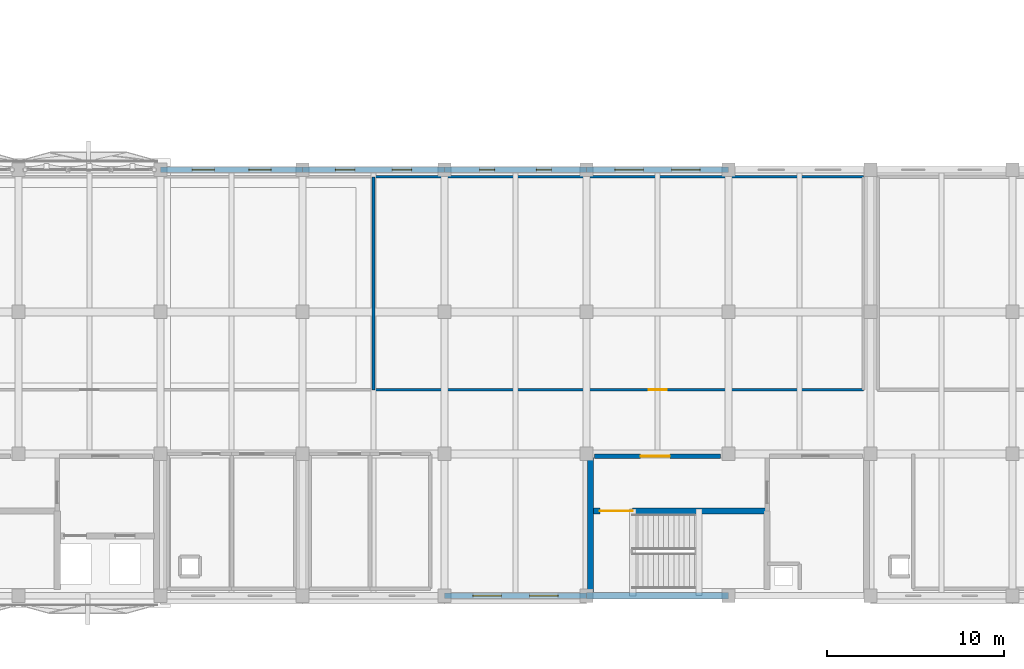
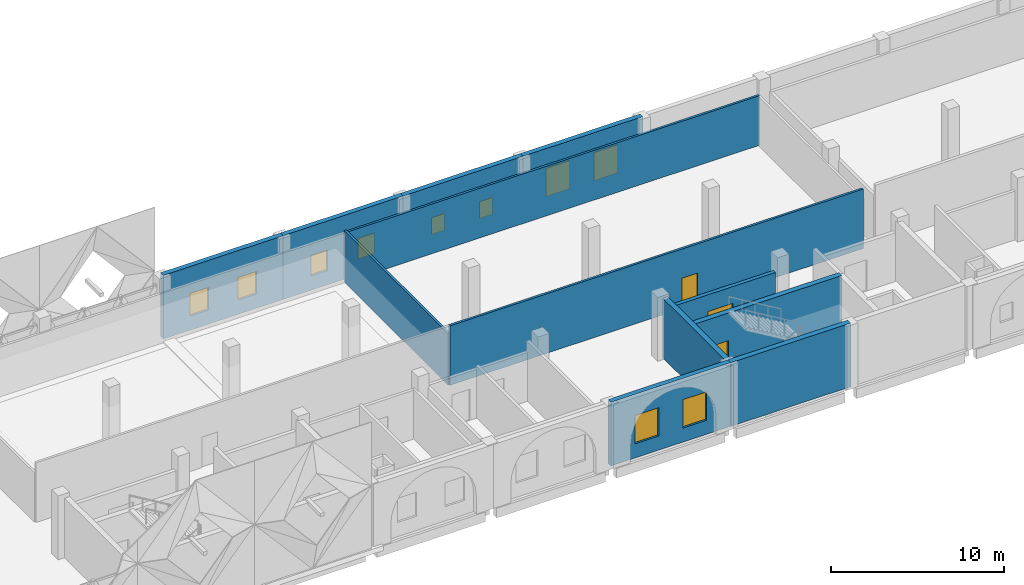
# One storey, part 31 of 53: 12 walls, 10 windows, 3 doors, 13 openings.
"""IFC4 building model written with IfcOpenShell, lengths in metres."""

from ifc_helpers import new_model, si_unit, direction, frame, frame_2d, origin, place, context, subcontext, project, spatial, rectangle, extrude, material, layer, layer_set, type_object, element, fill, save


model = new_model("IFC4")

# Units and contexts
model_context = context("Model", 3, precision=1e-05, world=origin(), true_north=direction((0.0, 1.0)))
body_context = subcontext(model_context, "Body", "Model", "MODEL_VIEW")
ifc_project = project(units=[si_unit("LENGTHUNIT", "METRE"), si_unit("AREAUNIT", "SQUARE_METRE"), si_unit("VOLUMEUNIT", "CUBIC_METRE"), si_unit("PLANEANGLEUNIT", "RADIAN"), si_unit("MASSUNIT", "GRAM", prefix="KILO")], contexts=[model_context])

# Site, building, storey
site_placement = place(None, origin())
site = spatial("IfcSite", under=ifc_project, at=site_placement, CompositionType="ELEMENT")
building_placement = place(site_placement, origin())
building = spatial("IfcBuilding", under=site, at=building_placement, Name="Qorikala Patio Media Centre", CompositionType="ELEMENT")
storey_placement = place(building_placement, frame((0.0, 0.0, 5.39990234375)))
storey = spatial("IfcBuildingStorey", under=building, at=storey_placement, Name="L01", CompositionType="ELEMENT", Elevation=5.39990234375)

# Walls
ifc_material_1 = material(Name="Concrete C35/45", Category="concrete")
ifc_layer_1 = layer(ifc_material_1, 0.35009765625)
ifc_layer_set_1 = layer_set([ifc_layer_1], Name="Concrete C35/45")
wall_type_1 = type_object("IfcWallType", Name="WL-CORE-350", PredefinedType="SHEAR", material=ifc_layer_set_1)
wall_1_placement = place(storey_placement, frame((130.0, 3.0, 0.0), z_axis=(0.0, 0.0, 1.0), x_axis=(-1.0, 0.0, 0.0)))
element("IfcWall", 1, at=wall_1_placement, inside=storey, type_object=wall_type_1, Name="L01 Core C7 Exterior Shear Wall", PredefinedType="SHEAR", context=body_context, shape_type="SweptSolid", body=[
    extrude(rectangle(XDim=8.0, YDim=0.35009765625, at=frame_2d((4.0, 0.0))), origin(), (0.0, 0.0, 1.0), 4.5),
])
wall_2_placement = place(storey_placement, frame((122.22509765625, 3.199951171875, 0.0), z_axis=(0.0, 0.0, 1.0), x_axis=(0.0, 1.0, 0.0)))
element("IfcWall", 2, at=wall_2_placement, inside=storey, type_object=wall_type_1, Name="L01 Interior Wall CW-L01-C7-SW", PredefinedType="SHEAR", context=body_context, shape_type="SweptSolid", body=[
    extrude(rectangle(XDim=7.60009765625, YDim=0.35009765625, at=frame_2d((3.800048828125, 0.0))), origin(), (0.0, 0.0, 1.0), 4.2001953125),
])

# Wall, opening, door
wall_3_placement = place(storey_placement, frame((122.35009765625, 7.77490234375, 0.0), z_axis=(0.0, 0.0, 1.0), x_axis=(1.0, 0.0, 0.0)))
wall_3 = element("IfcWall", 3, at=wall_3_placement, inside=storey, type_object=wall_type_1, Name="L01 Interior Wall CW-L01-C7-SN", PredefinedType="SHEAR", context=body_context, shape_type="SweptSolid", body=[
    extrude(rectangle(XDim=9.824951171875, YDim=0.35009765625, at=frame_2d((4.91259765625, 0.0))), origin(), (0.0, 0.0, 1.0), 4.2001953125),
])
opening_1_placement = place(wall_3_placement, frame((0.39990234375, 0.0, 0.0)))
opening_1 = element("IfcOpeningElement", 4, at=opening_1_placement, cuts=wall_3, Name="Opening D204", PredefinedType="OPENING", context=body_context, shape_type="SweptSolid", body=[
    extrude(rectangle(XDim=1.85009765625, YDim=2.25, at=frame_2d((0.925048828125, 1.125))), frame((0.0, 0.18505859375, 0.0), z_axis=(0.0, -1.0, 0.0), x_axis=(1.0, 0.0, 0.0)), (0.0, 0.0, 1.0), 0.3701171875),
])
ifc_material_2 = material(Name="Powder-Coated Acoustic Fire Steel", Category="steel")
door_type_1 = type_object("IfcDoorType", Name="DR-FD60-185X225", OperationType="DOUBLE_DOOR_SINGLE_SWING", PredefinedType="DOOR", material=ifc_material_2)
door_1_placement = place(opening_1_placement, origin())
door_1 = element("IfcDoor", 5, at=door_1_placement, inside=storey, type_object=door_type_1, Name="L01 Stair ST-7 Fire Door", OperationType="DOUBLE_DOOR_SINGLE_SWING", OverallHeight=2.25, OverallWidth=1.85009765625, PredefinedType="DOOR", context=body_context, shape_type="SweptSolid", body=[
    extrude(rectangle(XDim=1.85009765625, YDim=2.25, at=frame_2d((0.925048828125, 1.125))), frame((0.0, 0.02490234375, 0.0), z_axis=(0.0, -1.0, 0.0), x_axis=(1.0, 0.0, 0.0)), (0.0, 0.0, 1.0), 0.050048828125),
])
fill(opening_1, door_1)

# Wall, openings, windows
ifc_material_3 = material(Name="Ivory Lime Stucco and Concrete C35/45", Category="concrete")
ifc_layer_2 = layer(ifc_material_3, 0.320068359375)
ifc_layer_set_2 = layer_set([ifc_layer_2], Name="Ivory Lime Stucco and Concrete C35/45")
wall_type_2 = type_object("IfcWallType", Name="WL-EXT-320", PredefinedType="SOLIDWALL", material=ifc_layer_set_2)
wall_4_placement = place(storey_placement, frame((98.0, 27.0, 0.0), z_axis=(0.0, 0.0, 1.0), x_axis=(1.0, 0.0, 0.0)))
wall_4 = element("IfcWall", 6, at=wall_4_placement, inside=storey, type_object=wall_type_2, Name="L01 Exterior Wall WL-L01-EXT-0047", PredefinedType="SOLIDWALL", context=body_context, shape_type="SweptSolid", body=[
    extrude(rectangle(XDim=8.0, YDim=0.320068359375, at=frame_2d((4.0, 0.0))), origin(), (0.0, 0.0, 1.0), 4.5),
])
opening_2_placement = place(wall_4_placement, frame((1.77490234375, 0.0, 1.0)))
opening_2 = element("IfcOpeningElement", 7, at=opening_2_placement, cuts=wall_4, Name="Opening WE-125", PredefinedType="OPENING", context=body_context, shape_type="SweptSolid", body=[
    extrude(rectangle(XDim=1.25, YDim=1.60009765625, at=frame_2d((0.625, 0.800048828125))), frame((0.0, 0.169921875, 0.0), z_axis=(0.0, -1.0, 0.0), x_axis=(1.0, 0.0, 0.0)), (0.0, 0.0, 1.0), 0.340087890625),
])
opening_3_placement = place(wall_4_placement, frame((4.97509765625, 0.0, 1.0)))
opening_3 = element("IfcOpeningElement", 8, at=opening_3_placement, cuts=wall_4, Name="Opening WE-125", PredefinedType="OPENING", context=body_context, shape_type="SweptSolid", body=[
    extrude(rectangle(XDim=1.25, YDim=1.60009765625, at=frame_2d((0.625, 0.800048828125))), frame((0.0, 0.169921875, 0.0), z_axis=(0.0, -1.0, 0.0), x_axis=(1.0, 0.0, 0.0)), (0.0, 0.0, 1.0), 0.340087890625),
])
ifc_material_4 = material(Name="Bronze Anodised Aluminium and Low-E Glass", Category="aluminium")
window_type_1 = type_object("IfcWindowType", Name="WN-ED-125X160", PartitioningType="SINGLE_PANEL", PredefinedType="WINDOW", material=ifc_material_4)
window_1_placement = place(opening_2_placement, origin())
window_1 = element("IfcWindow", 9, at=window_1_placement, inside=storey, type_object=window_type_1, Name="L01 Editing Wing Casement Window 0095", OverallHeight=1.60009765625, OverallWidth=1.25, PartitioningType="SINGLE_PANEL", PredefinedType="WINDOW", context=body_context, shape_type="SweptSolid", body=[
    extrude(rectangle(XDim=1.25, YDim=1.60009765625, at=frame_2d((0.625, 0.800048828125))), frame((0.0, 0.030029296875, 0.0), z_axis=(0.0, -1.0, 0.0), x_axis=(1.0, 0.0, 0.0)), (0.0, 0.0, 1.0), 0.06005859375),
])
fill(opening_2, window_1)
window_2_placement = place(opening_3_placement, origin())
window_2 = element("IfcWindow", 10, at=window_2_placement, inside=storey, type_object=window_type_1, Name="L01 Editing Wing Casement Window 0096", OverallHeight=1.60009765625, OverallWidth=1.25, PartitioningType="SINGLE_PANEL", PredefinedType="WINDOW", context=body_context, shape_type="SweptSolid", body=[
    extrude(rectangle(XDim=1.25, YDim=1.60009765625, at=frame_2d((0.625, 0.800048828125))), frame((0.0, 0.030029296875, 0.0), z_axis=(0.0, -1.0, 0.0), x_axis=(1.0, 0.0, 0.0)), (0.0, 0.0, 1.0), 0.06005859375),
])
fill(opening_3, window_2)

wall_5_placement = place(storey_placement, frame((106.0, 27.0, 0.0), z_axis=(0.0, 0.0, 1.0), x_axis=(1.0, 0.0, 0.0)))
wall_5 = element("IfcWall", 11, at=wall_5_placement, inside=storey, type_object=wall_type_2, Name="L01 Exterior Wall WL-L01-EXT-0048", PredefinedType="SOLIDWALL", context=body_context, shape_type="SweptSolid", body=[
    extrude(rectangle(XDim=8.0, YDim=0.320068359375, at=frame_2d((4.0, 0.0))), origin(), (0.0, 0.0, 1.0), 4.5),
])
opening_4_placement = place(wall_5_placement, frame((1.85009765625, 0.0, 1.0)))
opening_4 = element("IfcOpeningElement", 12, at=opening_4_placement, cuts=wall_5, Name="Opening WE-110", PredefinedType="OPENING", context=body_context, shape_type="SweptSolid", body=[
    extrude(rectangle(XDim=1.10009765625, YDim=1.449951171875, at=frame_2d((0.550048828125, 0.72509765625))), frame((0.0, 0.169921875, 0.0), z_axis=(0.0, -1.0, 0.0), x_axis=(1.0, 0.0, 0.0)), (0.0, 0.0, 1.0), 0.340087890625),
])
opening_5_placement = place(wall_5_placement, frame((5.050048828125, 0.0, 1.0)))
opening_5 = element("IfcOpeningElement", 13, at=opening_5_placement, cuts=wall_5, Name="Opening WE-110", PredefinedType="OPENING", context=body_context, shape_type="SweptSolid", body=[
    extrude(rectangle(XDim=1.10009765625, YDim=1.449951171875, at=frame_2d((0.550048828125, 0.72509765625))), frame((0.0, 0.169921875, 0.0), z_axis=(0.0, -1.0, 0.0), x_axis=(1.0, 0.0, 0.0)), (0.0, 0.0, 1.0), 0.340087890625),
])
window_type_2 = type_object("IfcWindowType", Name="WN-ED-110X145", PartitioningType="SINGLE_PANEL", PredefinedType="WINDOW", material=ifc_material_4)
window_3_placement = place(opening_4_placement, origin())
window_3 = element("IfcWindow", 14, at=window_3_placement, inside=storey, type_object=window_type_2, Name="L01 Editing Wing Casement Window 0097", OverallHeight=1.449951171875, OverallWidth=1.10009765625, PartitioningType="SINGLE_PANEL", PredefinedType="WINDOW", context=body_context, shape_type="SweptSolid", body=[
    extrude(rectangle(XDim=1.10009765625, YDim=1.449951171875, at=frame_2d((0.550048828125, 0.72509765625))), frame((0.0, 0.030029296875, 0.0), z_axis=(0.0, -1.0, 0.0), x_axis=(1.0, 0.0, 0.0)), (0.0, 0.0, 1.0), 0.06005859375),
])
fill(opening_4, window_3)
window_4_placement = place(opening_5_placement, origin())
window_4 = element("IfcWindow", 15, at=window_4_placement, inside=storey, type_object=window_type_2, Name="L01 Editing Wing Casement Window 0098", OverallHeight=1.449951171875, OverallWidth=1.10009765625, PartitioningType="SINGLE_PANEL", PredefinedType="WINDOW", context=body_context, shape_type="SweptSolid", body=[
    extrude(rectangle(XDim=1.10009765625, YDim=1.449951171875, at=frame_2d((0.550048828125, 0.72509765625))), frame((0.0, 0.030029296875, 0.0), z_axis=(0.0, -1.0, 0.0), x_axis=(1.0, 0.0, 0.0)), (0.0, 0.0, 1.0), 0.06005859375),
])
fill(opening_5, window_4)

wall_6_placement = place(storey_placement, frame((114.0, 27.0, 0.0), z_axis=(0.0, 0.0, 1.0), x_axis=(1.0, 0.0, 0.0)))
wall_6 = element("IfcWall", 16, at=wall_6_placement, inside=storey, type_object=wall_type_2, Name="L01 Exterior Wall WL-L01-EXT-0049", PredefinedType="SOLIDWALL", context=body_context, shape_type="SweptSolid", body=[
    extrude(rectangle(XDim=8.0, YDim=0.320068359375, at=frame_2d((4.0, 0.0))), origin(), (0.0, 0.0, 1.0), 4.5),
])
opening_6_placement = place(wall_6_placement, frame((1.97509765625, 0.0, 1.0)))
opening_6 = element("IfcOpeningElement", 17, at=opening_6_placement, cuts=wall_6, Name="Opening WE-085", PredefinedType="OPENING", context=body_context, shape_type="SweptSolid", body=[
    extrude(rectangle(XDim=0.85009765625, YDim=1.199951171875, at=frame_2d((0.425048828125, 0.60009765625))), frame((0.0, 0.169921875, 0.0), z_axis=(0.0, -1.0, 0.0), x_axis=(1.0, 0.0, 0.0)), (0.0, 0.0, 1.0), 0.340087890625),
])
opening_7_placement = place(wall_6_placement, frame((5.175048828125, 0.0, 1.0)))
opening_7 = element("IfcOpeningElement", 18, at=opening_7_placement, cuts=wall_6, Name="Opening WE-085", PredefinedType="OPENING", context=body_context, shape_type="SweptSolid", body=[
    extrude(rectangle(XDim=0.85009765625, YDim=1.199951171875, at=frame_2d((0.425048828125, 0.60009765625))), frame((0.0, 0.169921875, 0.0), z_axis=(0.0, -1.0, 0.0), x_axis=(1.0, 0.0, 0.0)), (0.0, 0.0, 1.0), 0.340087890625),
])
window_type_3 = type_object("IfcWindowType", Name="WN-ED-085X120", PartitioningType="SINGLE_PANEL", PredefinedType="WINDOW", material=ifc_material_4)
window_5_placement = place(opening_6_placement, origin())
window_5 = element("IfcWindow", 19, at=window_5_placement, inside=storey, type_object=window_type_3, Name="L01 Editing Wing Casement Window 0099", OverallHeight=1.199951171875, OverallWidth=0.85009765625, PartitioningType="SINGLE_PANEL", PredefinedType="WINDOW", context=body_context, shape_type="SweptSolid", body=[
    extrude(rectangle(XDim=0.85009765625, YDim=1.199951171875, at=frame_2d((0.425048828125, 0.60009765625))), frame((0.0, 0.030029296875, 0.0), z_axis=(0.0, -1.0, 0.0), x_axis=(1.0, 0.0, 0.0)), (0.0, 0.0, 1.0), 0.06005859375),
])
fill(opening_6, window_5)
window_6_placement = place(opening_7_placement, origin())
window_6 = element("IfcWindow", 20, at=window_6_placement, inside=storey, type_object=window_type_3, Name="L01 Editing Wing Casement Window 0100", OverallHeight=1.199951171875, OverallWidth=0.85009765625, PartitioningType="SINGLE_PANEL", PredefinedType="WINDOW", context=body_context, shape_type="SweptSolid", body=[
    extrude(rectangle(XDim=0.85009765625, YDim=1.199951171875, at=frame_2d((0.425048828125, 0.60009765625))), frame((0.0, 0.030029296875, 0.0), z_axis=(0.0, -1.0, 0.0), x_axis=(1.0, 0.0, 0.0)), (0.0, 0.0, 1.0), 0.06005859375),
])
fill(opening_7, window_6)

wall_7_placement = place(storey_placement, frame((122.0, 27.0, 0.0), z_axis=(0.0, 0.0, 1.0), x_axis=(1.0, 0.0, 0.0)))
wall_7 = element("IfcWall", 21, at=wall_7_placement, inside=storey, type_object=wall_type_2, Name="L01 Exterior Wall WL-L01-EXT-0050", PredefinedType="SOLIDWALL", context=body_context, shape_type="SweptSolid", body=[
    extrude(rectangle(XDim=8.0, YDim=0.320068359375, at=frame_2d((4.0, 0.0))), origin(), (0.0, 0.0, 1.0), 4.5),
])
opening_8_placement = place(wall_7_placement, frame((1.60009765625, 0.0, 1.0)))
opening_8 = element("IfcOpeningElement", 22, at=opening_8_placement, cuts=wall_7, Name="Opening WE-160", PredefinedType="OPENING", context=body_context, shape_type="SweptSolid", body=[
    extrude(rectangle(XDim=1.60009765625, YDim=2.0, at=frame_2d((0.800048828125, 1.0))), frame((0.0, 0.169921875, 0.0), z_axis=(0.0, -1.0, 0.0), x_axis=(1.0, 0.0, 0.0)), (0.0, 0.0, 1.0), 0.340087890625),
])
opening_9_placement = place(wall_7_placement, frame((4.800048828125, 0.0, 1.0)))
opening_9 = element("IfcOpeningElement", 23, at=opening_9_placement, cuts=wall_7, Name="Opening WE-160", PredefinedType="OPENING", context=body_context, shape_type="SweptSolid", body=[
    extrude(rectangle(XDim=1.60009765625, YDim=2.0, at=frame_2d((0.800048828125, 1.0))), frame((0.0, 0.169921875, 0.0), z_axis=(0.0, -1.0, 0.0), x_axis=(1.0, 0.0, 0.0)), (0.0, 0.0, 1.0), 0.340087890625),
])
window_type_4 = type_object("IfcWindowType", Name="WN-ED-160X200", PartitioningType="SINGLE_PANEL", PredefinedType="WINDOW", material=ifc_material_4)
window_7_placement = place(opening_8_placement, origin())
window_7 = element("IfcWindow", 24, at=window_7_placement, inside=storey, type_object=window_type_4, Name="L01 Editing Wing Casement Window 0101", OverallHeight=2.0, OverallWidth=1.60009765625, PartitioningType="SINGLE_PANEL", PredefinedType="WINDOW", context=body_context, shape_type="SweptSolid", body=[
    extrude(rectangle(XDim=1.60009765625, YDim=2.0, at=frame_2d((0.800048828125, 1.0))), frame((0.0, 0.030029296875, 0.0), z_axis=(0.0, -1.0, 0.0), x_axis=(1.0, 0.0, 0.0)), (0.0, 0.0, 1.0), 0.06005859375),
])
fill(opening_8, window_7)
window_8_placement = place(opening_9_placement, origin())
window_8 = element("IfcWindow", 25, at=window_8_placement, inside=storey, type_object=window_type_4, Name="L01 Editing Wing Casement Window 0102", OverallHeight=2.0, OverallWidth=1.60009765625, PartitioningType="SINGLE_PANEL", PredefinedType="WINDOW", context=body_context, shape_type="SweptSolid", body=[
    extrude(rectangle(XDim=1.60009765625, YDim=2.0, at=frame_2d((0.800048828125, 1.0))), frame((0.0, 0.030029296875, 0.0), z_axis=(0.0, -1.0, 0.0), x_axis=(1.0, 0.0, 0.0)), (0.0, 0.0, 1.0), 0.06005859375),
])
fill(opening_9, window_8)

wall_8_placement = place(storey_placement, frame((122.0, 3.0, 0.0), z_axis=(0.0, 0.0, 1.0), x_axis=(-1.0, 0.0, 0.0)))
wall_8 = element("IfcWall", 26, at=wall_8_placement, inside=storey, type_object=wall_type_2, Name="L01 Exterior Wall WL-L01-EXT-0065", PredefinedType="SOLIDWALL", context=body_context, shape_type="SweptSolid", body=[
    extrude(rectangle(XDim=8.0, YDim=0.320068359375, at=frame_2d((4.0, 0.0))), origin(), (0.0, 0.0, 1.0), 4.5),
])
opening_10_placement = place(wall_8_placement, frame((1.60009765625, 0.0, 1.0)))
opening_10 = element("IfcOpeningElement", 27, at=opening_10_placement, cuts=wall_8, Name="Opening WE-160", PredefinedType="OPENING", context=body_context, shape_type="SweptSolid", body=[
    extrude(rectangle(XDim=1.60009765625, YDim=2.0, at=frame_2d((0.800048828125, 1.0))), frame((0.0, 0.169921875, 0.0), z_axis=(0.0, -1.0, 0.0), x_axis=(1.0, 0.0, 0.0)), (0.0, 0.0, 1.0), 0.340087890625),
])
opening_11_placement = place(wall_8_placement, frame((4.800048828125, 0.0, 1.0)))
opening_11 = element("IfcOpeningElement", 28, at=opening_11_placement, cuts=wall_8, Name="Opening WE-160", PredefinedType="OPENING", context=body_context, shape_type="SweptSolid", body=[
    extrude(rectangle(XDim=1.60009765625, YDim=2.0, at=frame_2d((0.800048828125, 1.0))), frame((0.0, 0.169921875, 0.0), z_axis=(0.0, -1.0, 0.0), x_axis=(1.0, 0.0, 0.0)), (0.0, 0.0, 1.0), 0.340087890625),
])
window_9_placement = place(opening_10_placement, origin())
window_9 = element("IfcWindow", 29, at=window_9_placement, inside=storey, type_object=window_type_4, Name="L01 Editing Wing Casement Window 0123", OverallHeight=2.0, OverallWidth=1.60009765625, PartitioningType="SINGLE_PANEL", PredefinedType="WINDOW", context=body_context, shape_type="SweptSolid", body=[
    extrude(rectangle(XDim=1.60009765625, YDim=2.0, at=frame_2d((0.800048828125, 1.0))), frame((0.0, 0.030029296875, 0.0), z_axis=(0.0, -1.0, 0.0), x_axis=(1.0, 0.0, 0.0)), (0.0, 0.0, 1.0), 0.06005859375),
])
fill(opening_10, window_9)
window_10_placement = place(opening_11_placement, origin())
window_10 = element("IfcWindow", 30, at=window_10_placement, inside=storey, type_object=window_type_4, Name="L01 Editing Wing Casement Window 0124", OverallHeight=2.0, OverallWidth=1.60009765625, PartitioningType="SINGLE_PANEL", PredefinedType="WINDOW", context=body_context, shape_type="SweptSolid", body=[
    extrude(rectangle(XDim=1.60009765625, YDim=2.0, at=frame_2d((0.800048828125, 1.0))), frame((0.0, 0.030029296875, 0.0), z_axis=(0.0, -1.0, 0.0), x_axis=(1.0, 0.0, 0.0)), (0.0, 0.0, 1.0), 0.06005859375),
])
fill(opening_11, window_10)

# Wall, opening, door
ifc_layer_3 = layer(ifc_material_1, 0.25)
ifc_layer_set_3 = layer_set([ifc_layer_3], Name="Concrete C35/45")
wall_type_3 = type_object("IfcWallType", Name="WL-FFL-250", PredefinedType="PARTITIONING", material=ifc_layer_set_3)
wall_9_placement = place(storey_placement, frame((122.449951171875, 10.85009765625, 0.0), z_axis=(0.0, 0.0, 1.0), x_axis=(1.0, 0.0, 0.0)))
wall_9 = element("IfcWall", 31, at=wall_9_placement, inside=storey, type_object=wall_type_3, Name="L01 Interior Wall CW-L01-C7-CN1", PredefinedType="PARTITIONING", context=body_context, shape_type="SweptSolid", body=[
    extrude(rectangle(XDim=7.10009765625, YDim=0.25, at=frame_2d((3.550048828125, 0.0))), origin(), (0.0, 0.0, 1.0), 3.43505859375),
])
opening_12_placement = place(wall_9_placement, frame((2.60009765625, 0.0, 0.0)))
opening_12 = element("IfcOpeningElement", 32, at=opening_12_placement, cuts=wall_9, Name="Opening D206", PredefinedType="OPENING", context=body_context, shape_type="SweptSolid", body=[
    extrude(rectangle(XDim=1.64990234375, YDim=2.25, at=frame_2d((0.824951171875, 1.125))), frame((0.0, 0.135009765625, 0.0), z_axis=(0.0, -1.0, 0.0), x_axis=(1.0, 0.0, 0.0)), (0.0, 0.0, 1.0), 0.27001953125),
])
door_type_2 = type_object("IfcDoorType", Name="DR-FD60-165X225", OperationType="DOUBLE_DOOR_SINGLE_SWING", PredefinedType="DOOR", material=ifc_material_2)
door_2_placement = place(opening_12_placement, frame((1.64990234375, 0.0, 0.0), z_axis=(0.0, 0.0, 1.0), x_axis=(-1.0, 0.0, 0.0)))
door_2 = element("IfcDoor", 33, at=door_2_placement, inside=storey, type_object=door_type_2, Name="L01 Core C7 Vestibule Door", OperationType="DOUBLE_DOOR_SINGLE_SWING", OverallHeight=2.25, OverallWidth=1.64990234375, PredefinedType="DOOR", context=body_context, shape_type="SweptSolid", body=[
    extrude(rectangle(XDim=1.64990234375, YDim=2.25, at=frame_2d((0.824951171875, 1.125))), frame((0.0, 0.02490234375, 0.0), z_axis=(0.0, -1.0, 0.0), x_axis=(1.0, 0.0, 0.0)), (0.0, 0.0, 1.0), 0.050048828125),
])
fill(opening_12, door_2)

# Wall
ifc_material_5 = material(Name="Acoustic Gypsum Stud Partition")
ifc_layer_4 = layer(ifc_material_5, 0.14990234375)
ifc_layer_set_4 = layer_set([ifc_layer_4], Name="Acoustic Gypsum Stud Partition")
wall_type_4 = type_object("IfcWallType", Name="WL-PT-150", PredefinedType="PARTITIONING", material=ifc_layer_set_4)
wall_10_placement = place(storey_placement, frame((110.0, 14.60009765625, 0.0), z_axis=(0.0, 0.0, 1.0), x_axis=(0.0, 1.0, 0.0)))
element("IfcWall", 34, at=wall_10_placement, inside=storey, type_object=wall_type_4, Name="L01 Interior Wall WINT-L01-ED11-E", PredefinedType="PARTITIONING", context=body_context, shape_type="SweptSolid", body=[
    extrude(rectangle(XDim=12.0, YDim=0.14990234375, at=frame_2d((6.0, 0.0))), origin(), (0.0, 0.0, 1.0), 3.635009765625),
])

# Wall, opening, door
wall_11_placement = place(storey_placement, frame((110.0, 14.60009765625, 0.0), z_axis=(0.0, 0.0, 1.0), x_axis=(1.0, 0.0, 0.0)))
wall_11 = element("IfcWall", 35, at=wall_11_placement, inside=storey, type_object=wall_type_4, Name="L01 Interior Wall WINT-L01-ED12-S", PredefinedType="PARTITIONING", context=body_context, shape_type="SweptSolid", body=[
    extrude(rectangle(XDim=27.60009765625, YDim=0.14990234375, at=frame_2d((13.800048828125, 0.0))), origin(), (0.0, 0.0, 1.0), 4.2001953125),
])
opening_13_placement = place(wall_11_placement, frame((15.4990234375, 0.0, 0.0)))
opening_13 = element("IfcOpeningElement", 36, at=opening_13_placement, cuts=wall_11, Name="Opening D258", PredefinedType="OPENING", context=body_context, shape_type="SweptSolid", body=[
    extrude(rectangle(XDim=1.02001953125, YDim=2.139892578125, at=frame_2d((0.510009765625, 1.06982421875))), frame((0.0, 0.0849609375, 0.0), z_axis=(0.0, -1.0, 0.0), x_axis=(1.0, 0.0, 0.0)), (0.0, 0.0, 1.0), 0.169921875),
])
ifc_material_6 = material(Name="Solid Oak Timber", Category="wood")
door_type_3 = type_object("IfcDoorType", Name="DR-IN-102X214", OperationType="NOTDEFINED", PredefinedType="DOOR", material=ifc_material_6)
door_3_placement = place(opening_13_placement, origin())
door_3 = element("IfcDoor", 37, at=door_3_placement, inside=storey, type_object=door_type_3, Name="Editing Suite 102 Door 047", OperationType="SINGLE_SWING_LEFT", OverallHeight=2.139892578125, OverallWidth=1.02001953125, PredefinedType="DOOR", context=body_context, shape_type="SweptSolid", body=[
    extrude(rectangle(XDim=1.02001953125, YDim=2.139892578125, at=frame_2d((0.510009765625, 1.06982421875))), frame((0.0, 0.02490234375, 0.0), z_axis=(0.0, -1.0, 0.0), x_axis=(1.0, 0.0, 0.0)), (0.0, 0.0, 1.0), 0.050048828125),
])
fill(opening_13, door_3)

# Wall
wall_12_placement = place(storey_placement, frame((110.0, 26.60009765625, 0.0), z_axis=(0.0, 0.0, 1.0), x_axis=(1.0, 0.0, 0.0)))
element("IfcWall", 38, at=wall_12_placement, inside=storey, type_object=wall_type_4, Name="L01 Interior Wall WINT-L01-ED12-N", PredefinedType="PARTITIONING", context=body_context, shape_type="SweptSolid", body=[
    extrude(rectangle(XDim=27.60009765625, YDim=0.14990234375, at=frame_2d((13.800048828125, 0.0))), origin(), (0.0, 0.0, 1.0), 3.505126953125),
])

save(model, "model.ifc")
